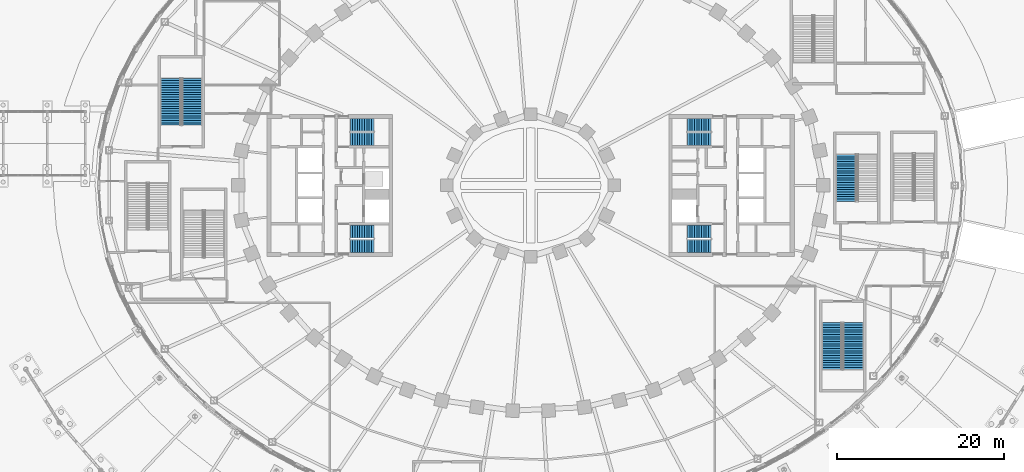
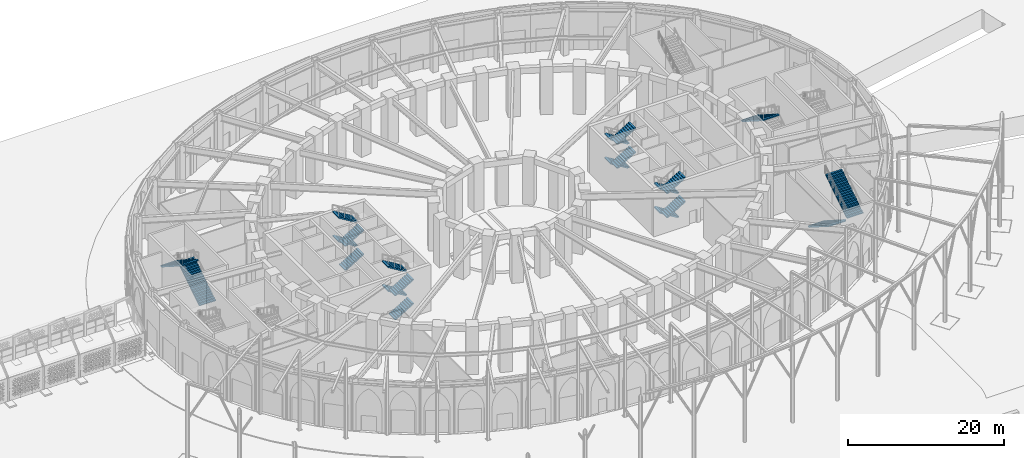
# One storey, part 51 of 79: 21 stair flights, 7 elements without a shape of their own.
"""IFC4 building model written with IfcOpenShell, lengths in metres."""

from ifc_helpers import new_model, si_unit, direction, frame, origin, place, context, subcontext, project, spatial, polyline, outline, extrude, material, type_object, element, aggregate, save


model = new_model("IFC4")

# Units and contexts
model_context = context("Model", 3, precision=1e-05, world=origin(), true_north=direction((0.0, 1.0)))
body_context = subcontext(model_context, "Body", "Model", "MODEL_VIEW")
ifc_project = project(units=[si_unit("LENGTHUNIT", "METRE"), si_unit("AREAUNIT", "SQUARE_METRE"), si_unit("VOLUMEUNIT", "CUBIC_METRE"), si_unit("PLANEANGLEUNIT", "RADIAN"), si_unit("MASSUNIT", "GRAM", prefix="KILO")], contexts=[model_context])

# Site, building, storey
site_placement = place(None, origin())
site = spatial("IfcSite", under=ifc_project, at=site_placement, CompositionType="ELEMENT")
building_placement = place(site_placement, origin())
building = spatial("IfcBuilding", under=site, at=building_placement, Name="Noorbagh Ring Tower", CompositionType="ELEMENT")
storey_placement = place(building_placement, origin())
storey = spatial("IfcBuildingStorey", under=building, at=storey_placement, Name="L00", CompositionType="ELEMENT", Elevation=0.0)

# Stair, stair flights
ifc_material_1 = material(Name="Concrete C40/50", Category="concrete")
stair_type_1 = type_object("IfcStairType", Name="CORE-STAIR", PredefinedType="HALF_TURN_STAIR", material=ifc_material_1)
stair_1_placement = place(storey_placement, origin())
stair_1 = element("IfcStair", 1, at=stair_1_placement, inside=storey, type_object=stair_type_1, Name="L00 Exit stair ST1", PredefinedType="HALF_TURN_STAIR")
ifc_material_2 = material(Name="Concrete C40/50", Category="concrete")
stair_flight_type_1 = type_object("IfcStairFlightType", Name="CORE-STAIR-FLIGHT", PredefinedType="STRAIGHT", material=ifc_material_2)
stair_flight_1_placement = place(storey_placement, frame((-21.530029296875, 5.52490234375, 0.0), z_axis=(0.0, 0.0, 1.0), x_axis=(1.0, 0.0, 0.0)))
stair_flight_1 = element("IfcStairFlight", 2, at=stair_flight_1_placement, type_object=stair_flight_type_1, Name="ST1 flight 1", NumberOfRisers=11, NumberOfTreads=10, PredefinedType="STRAIGHT", RiserHeight=0.170454545, TreadLength=0.28, context=body_context, shape_type="SweptSolid", body=[
    extrude(outline(polyline([(0.0, 0.0), (0.0, 0.17041015625), (0.280029296875, 0.17041015625), (0.280029296875, 0.3408203125), (0.56005859375, 0.3408203125), (0.56005859375, 0.511474609375), (0.840087890625, 0.511474609375), (0.840087890625, 0.681884765625), (1.1201171875, 0.681884765625), (1.1201171875, 0.852294921875), (1.39990234375, 0.852294921875), (1.39990234375, 1.022705078125), (1.679931640625, 1.022705078125), (1.679931640625, 1.193115234375), (1.9599609375, 1.193115234375), (1.9599609375, 1.363525390625), (2.239990234375, 1.363525390625), (2.239990234375, 1.5341796875), (2.52001953125, 1.5341796875), (2.52001953125, 1.70458984375), (2.800048828125, 1.70458984375), (2.800048828125, 1.875), (2.800048828125, 1.529052734375), (0.288330078125, 0.0), (0.0, 0.0)])), frame((0.0, 0.77490234375, 0.0), z_axis=(0.0, -1.0, 0.0), x_axis=(1.0, 0.0, 0.0)), (0.0, 0.0, 1.0), 1.550048828125),
])
stair_flight_2_placement = place(storey_placement, frame((-18.72998046875, 7.22509765625, 1.875), z_axis=(0.0, 0.0, 1.0), x_axis=(-1.0, 0.0, 0.0)))
stair_flight_2 = element("IfcStairFlight", 3, at=stair_flight_2_placement, type_object=stair_flight_type_1, Name="ST1 flight 2", NumberOfRisers=11, NumberOfTreads=10, PredefinedType="STRAIGHT", RiserHeight=0.170454545, TreadLength=0.28, context=body_context, shape_type="SweptSolid", body=[
    extrude(outline(polyline([(0.0, 0.0), (0.0, 0.17041015625), (0.280029296875, 0.17041015625), (0.280029296875, 0.3408203125), (0.56005859375, 0.3408203125), (0.56005859375, 0.511474609375), (0.840087890625, 0.511474609375), (0.840087890625, 0.681884765625), (1.1201171875, 0.681884765625), (1.1201171875, 0.852294921875), (1.39990234375, 0.852294921875), (1.39990234375, 1.022705078125), (1.679931640625, 1.022705078125), (1.679931640625, 1.193115234375), (1.9599609375, 1.193115234375), (1.9599609375, 1.363525390625), (2.239990234375, 1.363525390625), (2.239990234375, 1.5341796875), (2.52001953125, 1.5341796875), (2.52001953125, 1.70458984375), (2.800048828125, 1.70458984375), (2.800048828125, 1.875), (2.800048828125, 1.529052734375), (0.288330078125, 0.0), (0.0, 0.0)])), frame((0.0, 0.77490234375, 0.0), z_axis=(0.0, -1.0, 0.0), x_axis=(1.0, 0.0, 0.0)), (0.0, 0.0, 1.0), 1.550048828125),
])
stair_flight_3_placement = place(storey_placement, frame((-21.530029296875, 5.52490234375, 3.75), z_axis=(0.0, 0.0, 1.0), x_axis=(1.0, 0.0, 0.0)))
stair_flight_3 = element("IfcStairFlight", 4, at=stair_flight_3_placement, type_object=stair_flight_type_1, Name="ST1 flight 3", NumberOfRisers=11, NumberOfTreads=10, PredefinedType="STRAIGHT", RiserHeight=0.170454545, TreadLength=0.28, context=body_context, shape_type="SweptSolid", body=[
    extrude(outline(polyline([(0.0, 0.0), (0.0, 0.17041015625), (0.280029296875, 0.17041015625), (0.280029296875, 0.3408203125), (0.56005859375, 0.3408203125), (0.56005859375, 0.511474609375), (0.840087890625, 0.511474609375), (0.840087890625, 0.681884765625), (1.1201171875, 0.681884765625), (1.1201171875, 0.852294921875), (1.39990234375, 0.852294921875), (1.39990234375, 1.022705078125), (1.679931640625, 1.022705078125), (1.679931640625, 1.193115234375), (1.9599609375, 1.193115234375), (1.9599609375, 1.363525390625), (2.239990234375, 1.363525390625), (2.239990234375, 1.5341796875), (2.52001953125, 1.5341796875), (2.52001953125, 1.70458984375), (2.800048828125, 1.70458984375), (2.800048828125, 1.875), (2.800048828125, 1.529052734375), (0.288330078125, 0.0), (0.0, 0.0)])), frame((0.0, 0.77490234375, 0.0), z_axis=(0.0, -1.0, 0.0), x_axis=(1.0, 0.0, 0.0)), (0.0, 0.0, 1.0), 1.550048828125),
])
stair_flight_4_placement = place(storey_placement, frame((-18.72998046875, 7.22509765625, 5.625), z_axis=(0.0, 0.0, 1.0), x_axis=(-1.0, 0.0, 0.0)))
stair_flight_4 = element("IfcStairFlight", 5, at=stair_flight_4_placement, type_object=stair_flight_type_1, Name="ST1 flight 4", NumberOfRisers=11, NumberOfTreads=10, PredefinedType="STRAIGHT", RiserHeight=0.170454545, TreadLength=0.28, context=body_context, shape_type="SweptSolid", body=[
    extrude(outline(polyline([(0.0, 0.0), (0.0, 0.17041015625), (0.280029296875, 0.17041015625), (0.280029296875, 0.3408203125), (0.56005859375, 0.3408203125), (0.56005859375, 0.511474609375), (0.840087890625, 0.511474609375), (0.840087890625, 0.681884765625), (1.1201171875, 0.681884765625), (1.1201171875, 0.852294921875), (1.39990234375, 0.852294921875), (1.39990234375, 1.022705078125), (1.679931640625, 1.022705078125), (1.679931640625, 1.193115234375), (1.9599609375, 1.193115234375), (1.9599609375, 1.363525390625), (2.239990234375, 1.363525390625), (2.239990234375, 1.5341796875), (2.52001953125, 1.5341796875), (2.52001953125, 1.70458984375), (2.800048828125, 1.70458984375), (2.800048828125, 1.875), (2.800048828125, 1.529052734375), (0.288330078125, 0.0), (0.0, 0.0)])), frame((0.0, 0.77490234375, 0.0), z_axis=(0.0, -1.0, 0.0), x_axis=(1.0, 0.0, 0.0)), (0.0, 0.0, 1.0), 1.550048828125),
])
aggregate(stair_1, [stair_flight_1, stair_flight_2, stair_flight_3, stair_flight_4])

stair_2_placement = place(storey_placement, origin())
stair_2 = element("IfcStair", 6, at=stair_2_placement, inside=storey, type_object=stair_type_1, Name="L00 Exit stair ST2", PredefinedType="HALF_TURN_STAIR")
stair_flight_5_placement = place(storey_placement, frame((-21.530029296875, -7.22509765625, 0.0), z_axis=(0.0, 0.0, 1.0), x_axis=(1.0, 0.0, 0.0)))
stair_flight_5 = element("IfcStairFlight", 7, at=stair_flight_5_placement, type_object=stair_flight_type_1, Name="ST2 flight 1", NumberOfRisers=11, NumberOfTreads=10, PredefinedType="STRAIGHT", RiserHeight=0.170454545, TreadLength=0.28, context=body_context, shape_type="SweptSolid", body=[
    extrude(outline(polyline([(0.0, 0.0), (0.0, 0.17041015625), (0.280029296875, 0.17041015625), (0.280029296875, 0.3408203125), (0.56005859375, 0.3408203125), (0.56005859375, 0.511474609375), (0.840087890625, 0.511474609375), (0.840087890625, 0.681884765625), (1.1201171875, 0.681884765625), (1.1201171875, 0.852294921875), (1.39990234375, 0.852294921875), (1.39990234375, 1.022705078125), (1.679931640625, 1.022705078125), (1.679931640625, 1.193115234375), (1.9599609375, 1.193115234375), (1.9599609375, 1.363525390625), (2.239990234375, 1.363525390625), (2.239990234375, 1.5341796875), (2.52001953125, 1.5341796875), (2.52001953125, 1.70458984375), (2.800048828125, 1.70458984375), (2.800048828125, 1.875), (2.800048828125, 1.529052734375), (0.288330078125, 0.0), (0.0, 0.0)])), frame((0.0, 0.77490234375, 0.0), z_axis=(0.0, -1.0, 0.0), x_axis=(1.0, 0.0, 0.0)), (0.0, 0.0, 1.0), 1.550048828125),
])
stair_flight_6_placement = place(storey_placement, frame((-18.72998046875, -5.52490234375, 1.875), z_axis=(0.0, 0.0, 1.0), x_axis=(-1.0, 0.0, 0.0)))
stair_flight_6 = element("IfcStairFlight", 8, at=stair_flight_6_placement, type_object=stair_flight_type_1, Name="ST2 flight 2", NumberOfRisers=11, NumberOfTreads=10, PredefinedType="STRAIGHT", RiserHeight=0.170454545, TreadLength=0.28, context=body_context, shape_type="SweptSolid", body=[
    extrude(outline(polyline([(0.0, 0.0), (0.0, 0.17041015625), (0.280029296875, 0.17041015625), (0.280029296875, 0.3408203125), (0.56005859375, 0.3408203125), (0.56005859375, 0.511474609375), (0.840087890625, 0.511474609375), (0.840087890625, 0.681884765625), (1.1201171875, 0.681884765625), (1.1201171875, 0.852294921875), (1.39990234375, 0.852294921875), (1.39990234375, 1.022705078125), (1.679931640625, 1.022705078125), (1.679931640625, 1.193115234375), (1.9599609375, 1.193115234375), (1.9599609375, 1.363525390625), (2.239990234375, 1.363525390625), (2.239990234375, 1.5341796875), (2.52001953125, 1.5341796875), (2.52001953125, 1.70458984375), (2.800048828125, 1.70458984375), (2.800048828125, 1.875), (2.800048828125, 1.529052734375), (0.288330078125, 0.0), (0.0, 0.0)])), frame((0.0, 0.77490234375, 0.0), z_axis=(0.0, -1.0, 0.0), x_axis=(1.0, 0.0, 0.0)), (0.0, 0.0, 1.0), 1.550048828125),
])
stair_flight_7_placement = place(storey_placement, frame((-21.530029296875, -7.22509765625, 3.75), z_axis=(0.0, 0.0, 1.0), x_axis=(1.0, 0.0, 0.0)))
stair_flight_7 = element("IfcStairFlight", 9, at=stair_flight_7_placement, type_object=stair_flight_type_1, Name="ST2 flight 3", NumberOfRisers=11, NumberOfTreads=10, PredefinedType="STRAIGHT", RiserHeight=0.170454545, TreadLength=0.28, context=body_context, shape_type="SweptSolid", body=[
    extrude(outline(polyline([(0.0, 0.0), (0.0, 0.17041015625), (0.280029296875, 0.17041015625), (0.280029296875, 0.3408203125), (0.56005859375, 0.3408203125), (0.56005859375, 0.511474609375), (0.840087890625, 0.511474609375), (0.840087890625, 0.681884765625), (1.1201171875, 0.681884765625), (1.1201171875, 0.852294921875), (1.39990234375, 0.852294921875), (1.39990234375, 1.022705078125), (1.679931640625, 1.022705078125), (1.679931640625, 1.193115234375), (1.9599609375, 1.193115234375), (1.9599609375, 1.363525390625), (2.239990234375, 1.363525390625), (2.239990234375, 1.5341796875), (2.52001953125, 1.5341796875), (2.52001953125, 1.70458984375), (2.800048828125, 1.70458984375), (2.800048828125, 1.875), (2.800048828125, 1.529052734375), (0.288330078125, 0.0), (0.0, 0.0)])), frame((0.0, 0.77490234375, 0.0), z_axis=(0.0, -1.0, 0.0), x_axis=(1.0, 0.0, 0.0)), (0.0, 0.0, 1.0), 1.550048828125),
])
stair_flight_8_placement = place(storey_placement, frame((-18.72998046875, -5.52490234375, 5.625), z_axis=(0.0, 0.0, 1.0), x_axis=(-1.0, 0.0, 0.0)))
stair_flight_8 = element("IfcStairFlight", 10, at=stair_flight_8_placement, type_object=stair_flight_type_1, Name="ST2 flight 4", NumberOfRisers=11, NumberOfTreads=10, PredefinedType="STRAIGHT", RiserHeight=0.170454545, TreadLength=0.28, context=body_context, shape_type="SweptSolid", body=[
    extrude(outline(polyline([(0.0, 0.0), (0.0, 0.17041015625), (0.280029296875, 0.17041015625), (0.280029296875, 0.3408203125), (0.56005859375, 0.3408203125), (0.56005859375, 0.511474609375), (0.840087890625, 0.511474609375), (0.840087890625, 0.681884765625), (1.1201171875, 0.681884765625), (1.1201171875, 0.852294921875), (1.39990234375, 0.852294921875), (1.39990234375, 1.022705078125), (1.679931640625, 1.022705078125), (1.679931640625, 1.193115234375), (1.9599609375, 1.193115234375), (1.9599609375, 1.363525390625), (2.239990234375, 1.363525390625), (2.239990234375, 1.5341796875), (2.52001953125, 1.5341796875), (2.52001953125, 1.70458984375), (2.800048828125, 1.70458984375), (2.800048828125, 1.875), (2.800048828125, 1.529052734375), (0.288330078125, 0.0), (0.0, 0.0)])), frame((0.0, 0.77490234375, 0.0), z_axis=(0.0, -1.0, 0.0), x_axis=(1.0, 0.0, 0.0)), (0.0, 0.0, 1.0), 1.550048828125),
])
aggregate(stair_2, [stair_flight_5, stair_flight_6, stair_flight_7, stair_flight_8])

stair_3_placement = place(storey_placement, origin())
stair_3 = element("IfcStair", 11, at=stair_3_placement, inside=storey, type_object=stair_type_1, Name="L00 Exit stair ST3", PredefinedType="HALF_TURN_STAIR")
stair_flight_9_placement = place(storey_placement, frame((21.530029296875, 7.22509765625, 0.0), z_axis=(0.0, 0.0, 1.0), x_axis=(-1.0, 0.0, 0.0)))
stair_flight_9 = element("IfcStairFlight", 12, at=stair_flight_9_placement, type_object=stair_flight_type_1, Name="ST3 flight 1", NumberOfRisers=11, NumberOfTreads=10, PredefinedType="STRAIGHT", RiserHeight=0.170454545, TreadLength=0.28, context=body_context, shape_type="SweptSolid", body=[
    extrude(outline(polyline([(0.0, 0.0), (0.0, 0.17041015625), (0.280029296875, 0.17041015625), (0.280029296875, 0.3408203125), (0.56005859375, 0.3408203125), (0.56005859375, 0.511474609375), (0.840087890625, 0.511474609375), (0.840087890625, 0.681884765625), (1.1201171875, 0.681884765625), (1.1201171875, 0.852294921875), (1.39990234375, 0.852294921875), (1.39990234375, 1.022705078125), (1.679931640625, 1.022705078125), (1.679931640625, 1.193115234375), (1.9599609375, 1.193115234375), (1.9599609375, 1.363525390625), (2.239990234375, 1.363525390625), (2.239990234375, 1.5341796875), (2.52001953125, 1.5341796875), (2.52001953125, 1.70458984375), (2.800048828125, 1.70458984375), (2.800048828125, 1.875), (2.800048828125, 1.529052734375), (0.288330078125, 0.0), (0.0, 0.0)])), frame((0.0, 0.77490234375, 0.0), z_axis=(0.0, -1.0, 0.0), x_axis=(1.0, 0.0, 0.0)), (0.0, 0.0, 1.0), 1.550048828125),
])
stair_flight_10_placement = place(storey_placement, frame((18.72998046875, 5.52490234375, 1.875), z_axis=(0.0, 0.0, 1.0), x_axis=(1.0, 0.0, 0.0)))
stair_flight_10 = element("IfcStairFlight", 13, at=stair_flight_10_placement, type_object=stair_flight_type_1, Name="ST3 flight 2", NumberOfRisers=11, NumberOfTreads=10, PredefinedType="STRAIGHT", RiserHeight=0.170454545, TreadLength=0.28, context=body_context, shape_type="SweptSolid", body=[
    extrude(outline(polyline([(0.0, 0.0), (0.0, 0.17041015625), (0.280029296875, 0.17041015625), (0.280029296875, 0.3408203125), (0.56005859375, 0.3408203125), (0.56005859375, 0.511474609375), (0.840087890625, 0.511474609375), (0.840087890625, 0.681884765625), (1.1201171875, 0.681884765625), (1.1201171875, 0.852294921875), (1.39990234375, 0.852294921875), (1.39990234375, 1.022705078125), (1.679931640625, 1.022705078125), (1.679931640625, 1.193115234375), (1.9599609375, 1.193115234375), (1.9599609375, 1.363525390625), (2.239990234375, 1.363525390625), (2.239990234375, 1.5341796875), (2.52001953125, 1.5341796875), (2.52001953125, 1.70458984375), (2.800048828125, 1.70458984375), (2.800048828125, 1.875), (2.800048828125, 1.529052734375), (0.288330078125, 0.0), (0.0, 0.0)])), frame((0.0, 0.77490234375, 0.0), z_axis=(0.0, -1.0, 0.0), x_axis=(1.0, 0.0, 0.0)), (0.0, 0.0, 1.0), 1.550048828125),
])
stair_flight_11_placement = place(storey_placement, frame((21.530029296875, 7.22509765625, 3.75), z_axis=(0.0, 0.0, 1.0), x_axis=(-1.0, 0.0, 0.0)))
stair_flight_11 = element("IfcStairFlight", 14, at=stair_flight_11_placement, type_object=stair_flight_type_1, Name="ST3 flight 3", NumberOfRisers=11, NumberOfTreads=10, PredefinedType="STRAIGHT", RiserHeight=0.170454545, TreadLength=0.28, context=body_context, shape_type="SweptSolid", body=[
    extrude(outline(polyline([(0.0, 0.0), (0.0, 0.17041015625), (0.280029296875, 0.17041015625), (0.280029296875, 0.3408203125), (0.56005859375, 0.3408203125), (0.56005859375, 0.511474609375), (0.840087890625, 0.511474609375), (0.840087890625, 0.681884765625), (1.1201171875, 0.681884765625), (1.1201171875, 0.852294921875), (1.39990234375, 0.852294921875), (1.39990234375, 1.022705078125), (1.679931640625, 1.022705078125), (1.679931640625, 1.193115234375), (1.9599609375, 1.193115234375), (1.9599609375, 1.363525390625), (2.239990234375, 1.363525390625), (2.239990234375, 1.5341796875), (2.52001953125, 1.5341796875), (2.52001953125, 1.70458984375), (2.800048828125, 1.70458984375), (2.800048828125, 1.875), (2.800048828125, 1.529052734375), (0.288330078125, 0.0), (0.0, 0.0)])), frame((0.0, 0.77490234375, 0.0), z_axis=(0.0, -1.0, 0.0), x_axis=(1.0, 0.0, 0.0)), (0.0, 0.0, 1.0), 1.550048828125),
])
stair_flight_12_placement = place(storey_placement, frame((18.72998046875, 5.52490234375, 5.625), z_axis=(0.0, 0.0, 1.0), x_axis=(1.0, 0.0, 0.0)))
stair_flight_12 = element("IfcStairFlight", 15, at=stair_flight_12_placement, type_object=stair_flight_type_1, Name="ST3 flight 4", NumberOfRisers=11, NumberOfTreads=10, PredefinedType="STRAIGHT", RiserHeight=0.170454545, TreadLength=0.28, context=body_context, shape_type="SweptSolid", body=[
    extrude(outline(polyline([(0.0, 0.0), (0.0, 0.17041015625), (0.280029296875, 0.17041015625), (0.280029296875, 0.3408203125), (0.56005859375, 0.3408203125), (0.56005859375, 0.511474609375), (0.840087890625, 0.511474609375), (0.840087890625, 0.681884765625), (1.1201171875, 0.681884765625), (1.1201171875, 0.852294921875), (1.39990234375, 0.852294921875), (1.39990234375, 1.022705078125), (1.679931640625, 1.022705078125), (1.679931640625, 1.193115234375), (1.9599609375, 1.193115234375), (1.9599609375, 1.363525390625), (2.239990234375, 1.363525390625), (2.239990234375, 1.5341796875), (2.52001953125, 1.5341796875), (2.52001953125, 1.70458984375), (2.800048828125, 1.70458984375), (2.800048828125, 1.875), (2.800048828125, 1.529052734375), (0.288330078125, 0.0), (0.0, 0.0)])), frame((0.0, 0.77490234375, 0.0), z_axis=(0.0, -1.0, 0.0), x_axis=(1.0, 0.0, 0.0)), (0.0, 0.0, 1.0), 1.550048828125),
])
aggregate(stair_3, [stair_flight_9, stair_flight_10, stair_flight_11, stair_flight_12])

stair_4_placement = place(storey_placement, origin())
stair_4 = element("IfcStair", 16, at=stair_4_placement, inside=storey, type_object=stair_type_1, Name="L00 Exit stair ST4", PredefinedType="HALF_TURN_STAIR")
stair_flight_13_placement = place(storey_placement, frame((21.530029296875, -5.52490234375, 0.0), z_axis=(0.0, 0.0, 1.0), x_axis=(-1.0, 0.0, 0.0)))
stair_flight_13 = element("IfcStairFlight", 17, at=stair_flight_13_placement, type_object=stair_flight_type_1, Name="ST4 flight 1", NumberOfRisers=11, NumberOfTreads=10, PredefinedType="STRAIGHT", RiserHeight=0.170454545, TreadLength=0.28, context=body_context, shape_type="SweptSolid", body=[
    extrude(outline(polyline([(0.0, 0.0), (0.0, 0.17041015625), (0.280029296875, 0.17041015625), (0.280029296875, 0.3408203125), (0.56005859375, 0.3408203125), (0.56005859375, 0.511474609375), (0.840087890625, 0.511474609375), (0.840087890625, 0.681884765625), (1.1201171875, 0.681884765625), (1.1201171875, 0.852294921875), (1.39990234375, 0.852294921875), (1.39990234375, 1.022705078125), (1.679931640625, 1.022705078125), (1.679931640625, 1.193115234375), (1.9599609375, 1.193115234375), (1.9599609375, 1.363525390625), (2.239990234375, 1.363525390625), (2.239990234375, 1.5341796875), (2.52001953125, 1.5341796875), (2.52001953125, 1.70458984375), (2.800048828125, 1.70458984375), (2.800048828125, 1.875), (2.800048828125, 1.529052734375), (0.288330078125, 0.0), (0.0, 0.0)])), frame((0.0, 0.77490234375, 0.0), z_axis=(0.0, -1.0, 0.0), x_axis=(1.0, 0.0, 0.0)), (0.0, 0.0, 1.0), 1.550048828125),
])
stair_flight_14_placement = place(storey_placement, frame((18.72998046875, -7.22509765625, 1.875), z_axis=(0.0, 0.0, 1.0), x_axis=(1.0, 0.0, 0.0)))
stair_flight_14 = element("IfcStairFlight", 18, at=stair_flight_14_placement, type_object=stair_flight_type_1, Name="ST4 flight 2", NumberOfRisers=11, NumberOfTreads=10, PredefinedType="STRAIGHT", RiserHeight=0.170454545, TreadLength=0.28, context=body_context, shape_type="SweptSolid", body=[
    extrude(outline(polyline([(0.0, 0.0), (0.0, 0.17041015625), (0.280029296875, 0.17041015625), (0.280029296875, 0.3408203125), (0.56005859375, 0.3408203125), (0.56005859375, 0.511474609375), (0.840087890625, 0.511474609375), (0.840087890625, 0.681884765625), (1.1201171875, 0.681884765625), (1.1201171875, 0.852294921875), (1.39990234375, 0.852294921875), (1.39990234375, 1.022705078125), (1.679931640625, 1.022705078125), (1.679931640625, 1.193115234375), (1.9599609375, 1.193115234375), (1.9599609375, 1.363525390625), (2.239990234375, 1.363525390625), (2.239990234375, 1.5341796875), (2.52001953125, 1.5341796875), (2.52001953125, 1.70458984375), (2.800048828125, 1.70458984375), (2.800048828125, 1.875), (2.800048828125, 1.529052734375), (0.288330078125, 0.0), (0.0, 0.0)])), frame((0.0, 0.77490234375, 0.0), z_axis=(0.0, -1.0, 0.0), x_axis=(1.0, 0.0, 0.0)), (0.0, 0.0, 1.0), 1.550048828125),
])
stair_flight_15_placement = place(storey_placement, frame((21.530029296875, -5.52490234375, 3.75), z_axis=(0.0, 0.0, 1.0), x_axis=(-1.0, 0.0, 0.0)))
stair_flight_15 = element("IfcStairFlight", 19, at=stair_flight_15_placement, type_object=stair_flight_type_1, Name="ST4 flight 3", NumberOfRisers=11, NumberOfTreads=10, PredefinedType="STRAIGHT", RiserHeight=0.170454545, TreadLength=0.28, context=body_context, shape_type="SweptSolid", body=[
    extrude(outline(polyline([(0.0, 0.0), (0.0, 0.17041015625), (0.280029296875, 0.17041015625), (0.280029296875, 0.3408203125), (0.56005859375, 0.3408203125), (0.56005859375, 0.511474609375), (0.840087890625, 0.511474609375), (0.840087890625, 0.681884765625), (1.1201171875, 0.681884765625), (1.1201171875, 0.852294921875), (1.39990234375, 0.852294921875), (1.39990234375, 1.022705078125), (1.679931640625, 1.022705078125), (1.679931640625, 1.193115234375), (1.9599609375, 1.193115234375), (1.9599609375, 1.363525390625), (2.239990234375, 1.363525390625), (2.239990234375, 1.5341796875), (2.52001953125, 1.5341796875), (2.52001953125, 1.70458984375), (2.800048828125, 1.70458984375), (2.800048828125, 1.875), (2.800048828125, 1.529052734375), (0.288330078125, 0.0), (0.0, 0.0)])), frame((0.0, 0.77490234375, 0.0), z_axis=(0.0, -1.0, 0.0), x_axis=(1.0, 0.0, 0.0)), (0.0, 0.0, 1.0), 1.550048828125),
])
stair_flight_16_placement = place(storey_placement, frame((18.72998046875, -7.22509765625, 5.625), z_axis=(0.0, 0.0, 1.0), x_axis=(1.0, 0.0, 0.0)))
stair_flight_16 = element("IfcStairFlight", 20, at=stair_flight_16_placement, type_object=stair_flight_type_1, Name="ST4 flight 4", NumberOfRisers=11, NumberOfTreads=10, PredefinedType="STRAIGHT", RiserHeight=0.170454545, TreadLength=0.28, context=body_context, shape_type="SweptSolid", body=[
    extrude(outline(polyline([(0.0, 0.0), (0.0, 0.17041015625), (0.280029296875, 0.17041015625), (0.280029296875, 0.3408203125), (0.56005859375, 0.3408203125), (0.56005859375, 0.511474609375), (0.840087890625, 0.511474609375), (0.840087890625, 0.681884765625), (1.1201171875, 0.681884765625), (1.1201171875, 0.852294921875), (1.39990234375, 0.852294921875), (1.39990234375, 1.022705078125), (1.679931640625, 1.022705078125), (1.679931640625, 1.193115234375), (1.9599609375, 1.193115234375), (1.9599609375, 1.363525390625), (2.239990234375, 1.363525390625), (2.239990234375, 1.5341796875), (2.52001953125, 1.5341796875), (2.52001953125, 1.70458984375), (2.800048828125, 1.70458984375), (2.800048828125, 1.875), (2.800048828125, 1.529052734375), (0.288330078125, 0.0), (0.0, 0.0)])), frame((0.0, 0.77490234375, 0.0), z_axis=(0.0, -1.0, 0.0), x_axis=(1.0, 0.0, 0.0)), (0.0, 0.0, 1.0), 1.550048828125),
])
aggregate(stair_4, [stair_flight_13, stair_flight_14, stair_flight_15, stair_flight_16])

# Stair, stair flight
ifc_material_3 = material(Name="Concrete C40/50", Category="concrete")
stair_type_2 = type_object("IfcStairType", Name="GND-STAIR", PredefinedType="HALF_TURN_STAIR", material=ifc_material_3)
stair_5_placement = place(storey_placement, origin())
stair_5 = element("IfcStair", 21, at=stair_5_placement, inside=storey, type_object=stair_type_2, Name="L00 exit stair ST-P2", PredefinedType="HALF_TURN_STAIR")
ifc_material_4 = material(Name="Concrete C40/50", Category="concrete")
stair_flight_type_2 = type_object("IfcStairFlightType", Name="GND-STAIR-FLIGHT", PredefinedType="STRAIGHT", material=ifc_material_4)
stair_flight_17_placement = place(storey_placement, frame((37.699951171875, 3.699951171875, 3.75), z_axis=(0.0, 0.0, 1.0), x_axis=(0.0, -1.0, 0.0)))
stair_flight_17 = element("IfcStairFlight", 22, at=stair_flight_17_placement, type_object=stair_flight_type_2, Name="ST-P2 flight 2", NumberOfRisers=21, NumberOfTreads=20, PredefinedType="STRAIGHT", RiserHeight=0.178571429, TreadLength=0.28, context=body_context, shape_type="SweptSolid", body=[
    extrude(outline(polyline([(0.0, 0.0), (0.0, 0.178466796875), (0.280029296875, 0.178466796875), (0.280029296875, 0.357177734375), (0.56005859375, 0.357177734375), (0.56005859375, 0.53564453125), (0.840087890625, 0.53564453125), (0.840087890625, 0.71435546875), (1.1201171875, 0.71435546875), (1.1201171875, 0.892822265625), (1.39990234375, 0.892822265625), (1.39990234375, 1.071533203125), (1.679931640625, 1.071533203125), (1.679931640625, 1.25), (1.9599609375, 1.25), (1.9599609375, 1.428466796875), (2.239990234375, 1.428466796875), (2.239990234375, 1.607177734375), (2.52001953125, 1.607177734375), (2.52001953125, 1.78564453125), (2.800048828125, 1.78564453125), (2.800048828125, 1.96435546875), (3.080078125, 1.96435546875), (3.080078125, 2.142822265625), (3.360107421875, 2.142822265625), (3.360107421875, 2.321533203125), (3.639892578125, 2.321533203125), (3.639892578125, 2.5), (3.919921875, 2.5), (3.919921875, 2.678466796875), (4.199951171875, 2.678466796875), (4.199951171875, 2.857177734375), (4.47998046875, 2.857177734375), (4.47998046875, 3.03564453125), (4.760009765625, 3.03564453125), (4.760009765625, 3.21435546875), (5.0400390625, 3.21435546875), (5.0400390625, 3.392822265625), (5.320068359375, 3.392822265625), (5.320068359375, 3.571533203125), (5.60009765625, 3.571533203125), (5.60009765625, 3.75), (5.60009765625, 3.3935546875), (0.27880859375, 0.0), (0.0, 0.0)])), frame((0.0, 1.199951171875, 0.0), z_axis=(0.0, -1.0, 0.0), x_axis=(1.0, 0.0, 0.0)), (0.0, 0.0, 1.0), 2.39990234375),
])
aggregate(stair_5, [stair_flight_17])

# Stair, stair flights
stair_6_placement = place(storey_placement, origin())
stair_6 = element("IfcStair", 23, at=stair_6_placement, inside=storey, type_object=stair_type_2, Name="L00 exit stair ST-P6", PredefinedType="HALF_TURN_STAIR")
stair_flight_18_placement = place(storey_placement, frame((36.0, -16.39990234375, 0.0), z_axis=(0.0, 0.0, 1.0), x_axis=(0.0, -1.0, 0.0)))
stair_flight_18 = element("IfcStairFlight", 24, at=stair_flight_18_placement, type_object=stair_flight_type_2, Name="ST-P6 flight 1", NumberOfRisers=21, NumberOfTreads=20, PredefinedType="STRAIGHT", RiserHeight=0.178571429, TreadLength=0.28, context=body_context, shape_type="SweptSolid", body=[
    extrude(outline(polyline([(0.0, 0.0), (0.0, 0.178466796875), (0.280029296875, 0.178466796875), (0.280029296875, 0.357177734375), (0.56005859375, 0.357177734375), (0.56005859375, 0.53564453125), (0.840087890625, 0.53564453125), (0.840087890625, 0.71435546875), (1.1201171875, 0.71435546875), (1.1201171875, 0.892822265625), (1.39990234375, 0.892822265625), (1.39990234375, 1.071533203125), (1.679931640625, 1.071533203125), (1.679931640625, 1.25), (1.9599609375, 1.25), (1.9599609375, 1.428466796875), (2.239990234375, 1.428466796875), (2.239990234375, 1.607177734375), (2.52001953125, 1.607177734375), (2.52001953125, 1.78564453125), (2.800048828125, 1.78564453125), (2.800048828125, 1.96435546875), (3.080078125, 1.96435546875), (3.080078125, 2.142822265625), (3.360107421875, 2.142822265625), (3.360107421875, 2.321533203125), (3.639892578125, 2.321533203125), (3.639892578125, 2.5), (3.919921875, 2.5), (3.919921875, 2.678466796875), (4.199951171875, 2.678466796875), (4.199951171875, 2.857177734375), (4.47998046875, 2.857177734375), (4.47998046875, 3.03564453125), (4.760009765625, 3.03564453125), (4.760009765625, 3.21435546875), (5.0400390625, 3.21435546875), (5.0400390625, 3.392822265625), (5.320068359375, 3.392822265625), (5.320068359375, 3.571533203125), (5.60009765625, 3.571533203125), (5.60009765625, 3.75), (5.60009765625, 3.3935546875), (0.27880859375, 0.0), (0.0, 0.0)])), frame((0.0, 1.199951171875, 0.0), z_axis=(0.0, -1.0, 0.0), x_axis=(1.0, 0.0, 0.0)), (0.0, 0.0, 1.0), 2.39990234375),
])
stair_flight_19_placement = place(storey_placement, frame((38.550048828125, -22.0, 3.75), z_axis=(0.0, 0.0, 1.0), x_axis=(0.0, 1.0, 0.0)))
stair_flight_19 = element("IfcStairFlight", 25, at=stair_flight_19_placement, type_object=stair_flight_type_2, Name="ST-P6 flight 2", NumberOfRisers=21, NumberOfTreads=20, PredefinedType="STRAIGHT", RiserHeight=0.178571429, TreadLength=0.28, context=body_context, shape_type="SweptSolid", body=[
    extrude(outline(polyline([(0.0, 0.0), (0.0, 0.178466796875), (0.280029296875, 0.178466796875), (0.280029296875, 0.357177734375), (0.56005859375, 0.357177734375), (0.56005859375, 0.53564453125), (0.840087890625, 0.53564453125), (0.840087890625, 0.71435546875), (1.1201171875, 0.71435546875), (1.1201171875, 0.892822265625), (1.39990234375, 0.892822265625), (1.39990234375, 1.071533203125), (1.679931640625, 1.071533203125), (1.679931640625, 1.25), (1.9599609375, 1.25), (1.9599609375, 1.428466796875), (2.239990234375, 1.428466796875), (2.239990234375, 1.607177734375), (2.52001953125, 1.607177734375), (2.52001953125, 1.78564453125), (2.800048828125, 1.78564453125), (2.800048828125, 1.96435546875), (3.080078125, 1.96435546875), (3.080078125, 2.142822265625), (3.360107421875, 2.142822265625), (3.360107421875, 2.321533203125), (3.639892578125, 2.321533203125), (3.639892578125, 2.5), (3.919921875, 2.5), (3.919921875, 2.678466796875), (4.199951171875, 2.678466796875), (4.199951171875, 2.857177734375), (4.47998046875, 2.857177734375), (4.47998046875, 3.03564453125), (4.760009765625, 3.03564453125), (4.760009765625, 3.21435546875), (5.0400390625, 3.21435546875), (5.0400390625, 3.392822265625), (5.320068359375, 3.392822265625), (5.320068359375, 3.571533203125), (5.60009765625, 3.571533203125), (5.60009765625, 3.75), (5.60009765625, 3.3935546875), (0.27880859375, 0.0), (0.0, 0.0)])), frame((0.0, 1.199951171875, 0.0), z_axis=(0.0, -1.0, 0.0), x_axis=(1.0, 0.0, 0.0)), (0.0, 0.0, 1.0), 2.39990234375),
])
aggregate(stair_6, [stair_flight_18, stair_flight_19])

stair_7_placement = place(storey_placement, origin())
stair_7 = element("IfcStair", 26, at=stair_7_placement, inside=storey, type_object=stair_type_2, Name="L00 exit stair ST-P7", PredefinedType="HALF_TURN_STAIR")
stair_flight_20_placement = place(storey_placement, frame((-40.449951171875, 7.199951171875, 0.0), z_axis=(0.0, 0.0, 1.0), x_axis=(0.0, 1.0, 0.0)))
stair_flight_20 = element("IfcStairFlight", 27, at=stair_flight_20_placement, type_object=stair_flight_type_2, Name="ST-P7 flight 1", NumberOfRisers=21, NumberOfTreads=20, PredefinedType="STRAIGHT", RiserHeight=0.178571429, TreadLength=0.28, context=body_context, shape_type="SweptSolid", body=[
    extrude(outline(polyline([(0.0, 0.0), (0.0, 0.178466796875), (0.280029296875, 0.178466796875), (0.280029296875, 0.357177734375), (0.56005859375, 0.357177734375), (0.56005859375, 0.53564453125), (0.840087890625, 0.53564453125), (0.840087890625, 0.71435546875), (1.1201171875, 0.71435546875), (1.1201171875, 0.892822265625), (1.39990234375, 0.892822265625), (1.39990234375, 1.071533203125), (1.679931640625, 1.071533203125), (1.679931640625, 1.25), (1.9599609375, 1.25), (1.9599609375, 1.428466796875), (2.239990234375, 1.428466796875), (2.239990234375, 1.607177734375), (2.52001953125, 1.607177734375), (2.52001953125, 1.78564453125), (2.800048828125, 1.78564453125), (2.800048828125, 1.96435546875), (3.080078125, 1.96435546875), (3.080078125, 2.142822265625), (3.360107421875, 2.142822265625), (3.360107421875, 2.321533203125), (3.639892578125, 2.321533203125), (3.639892578125, 2.5), (3.919921875, 2.5), (3.919921875, 2.678466796875), (4.199951171875, 2.678466796875), (4.199951171875, 2.857177734375), (4.47998046875, 2.857177734375), (4.47998046875, 3.03564453125), (4.760009765625, 3.03564453125), (4.760009765625, 3.21435546875), (5.0400390625, 3.21435546875), (5.0400390625, 3.392822265625), (5.320068359375, 3.392822265625), (5.320068359375, 3.571533203125), (5.60009765625, 3.571533203125), (5.60009765625, 3.75), (5.60009765625, 3.3935546875), (0.27880859375, 0.0), (0.0, 0.0)])), frame((0.0, 1.199951171875, 0.0), z_axis=(0.0, -1.0, 0.0), x_axis=(1.0, 0.0, 0.0)), (0.0, 0.0, 1.0), 2.39990234375),
])
stair_flight_21_placement = place(storey_placement, frame((-43.0, 12.800048828125, 3.75), z_axis=(0.0, 0.0, 1.0), x_axis=(0.0, -1.0, 0.0)))
stair_flight_21 = element("IfcStairFlight", 28, at=stair_flight_21_placement, type_object=stair_flight_type_2, Name="ST-P7 flight 2", NumberOfRisers=21, NumberOfTreads=20, PredefinedType="STRAIGHT", RiserHeight=0.178571429, TreadLength=0.28, context=body_context, shape_type="SweptSolid", body=[
    extrude(outline(polyline([(0.0, 0.0), (0.0, 0.178466796875), (0.280029296875, 0.178466796875), (0.280029296875, 0.357177734375), (0.56005859375, 0.357177734375), (0.56005859375, 0.53564453125), (0.840087890625, 0.53564453125), (0.840087890625, 0.71435546875), (1.1201171875, 0.71435546875), (1.1201171875, 0.892822265625), (1.39990234375, 0.892822265625), (1.39990234375, 1.071533203125), (1.679931640625, 1.071533203125), (1.679931640625, 1.25), (1.9599609375, 1.25), (1.9599609375, 1.428466796875), (2.239990234375, 1.428466796875), (2.239990234375, 1.607177734375), (2.52001953125, 1.607177734375), (2.52001953125, 1.78564453125), (2.800048828125, 1.78564453125), (2.800048828125, 1.96435546875), (3.080078125, 1.96435546875), (3.080078125, 2.142822265625), (3.360107421875, 2.142822265625), (3.360107421875, 2.321533203125), (3.639892578125, 2.321533203125), (3.639892578125, 2.5), (3.919921875, 2.5), (3.919921875, 2.678466796875), (4.199951171875, 2.678466796875), (4.199951171875, 2.857177734375), (4.47998046875, 2.857177734375), (4.47998046875, 3.03564453125), (4.760009765625, 3.03564453125), (4.760009765625, 3.21435546875), (5.0400390625, 3.21435546875), (5.0400390625, 3.392822265625), (5.320068359375, 3.392822265625), (5.320068359375, 3.571533203125), (5.60009765625, 3.571533203125), (5.60009765625, 3.75), (5.60009765625, 3.3935546875), (0.27880859375, 0.0), (0.0, 0.0)])), frame((0.0, 1.199951171875, 0.0), z_axis=(0.0, -1.0, 0.0), x_axis=(1.0, 0.0, 0.0)), (0.0, 0.0, 1.0), 2.39990234375),
])
aggregate(stair_7, [stair_flight_20, stair_flight_21])

save(model, "model.ifc")
